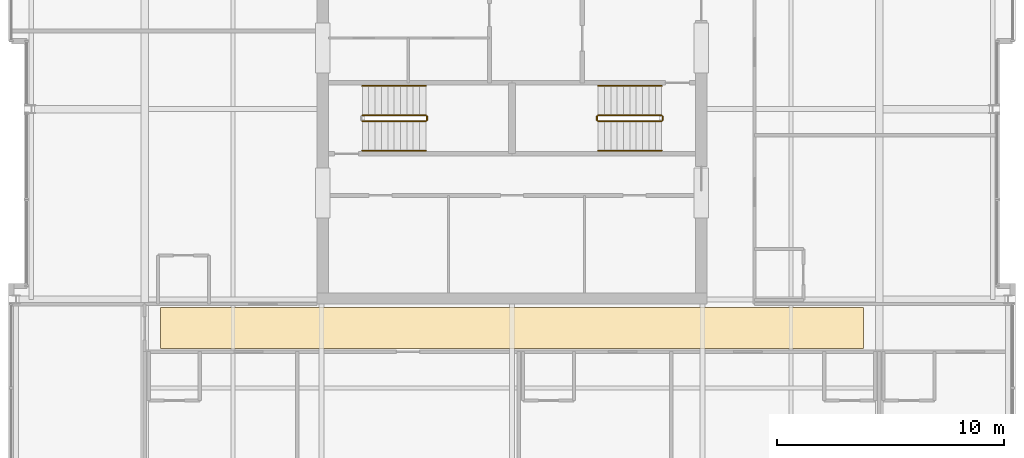
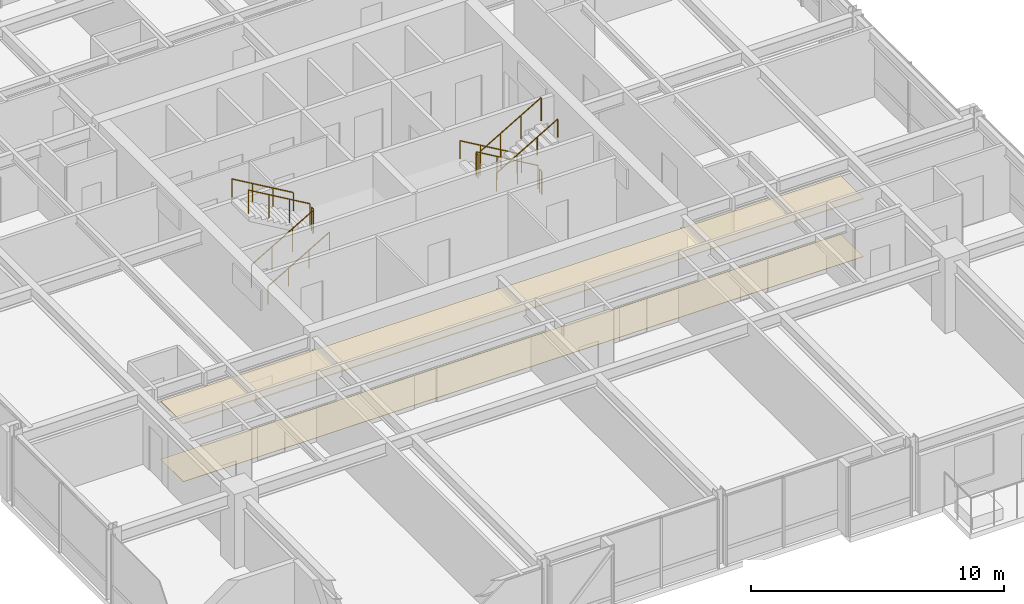
# One storey, part 31 of 32: 11 railings, 2 coverings.
"""IFC4 building model written with IfcOpenShell, lengths in metres."""

from ifc_helpers import new_model, si_unit, direction, frame, origin, origin_2d, place, context, subcontext, project, spatial, polyline, circle, outline, extrude, material, layer, layer_set, type_object, element, save


model = new_model("IFC4")

# Units and contexts
model_context = context("Model", 3, precision=1e-05, world=origin(), true_north=direction((0.0, 1.0)))
body_context = subcontext(model_context, "Body", "Model", "MODEL_VIEW")
ifc_project = project(units=[si_unit("LENGTHUNIT", "METRE"), si_unit("AREAUNIT", "SQUARE_METRE"), si_unit("VOLUMEUNIT", "CUBIC_METRE"), si_unit("PLANEANGLEUNIT", "RADIAN"), si_unit("MASSUNIT", "GRAM", prefix="KILO")], contexts=[model_context])

# Site, building, storey
site_placement = place(None, origin())
site = spatial("IfcSite", under=ifc_project, at=site_placement, CompositionType="ELEMENT")
building_placement = place(site_placement, origin())
building = spatial("IfcBuilding", under=site, at=building_placement, Name="Drelvath Grand Hotel", CompositionType="ELEMENT")
storey_placement = place(building_placement, frame((0.0, 0.0, 237.5)))
storey = spatial("IfcBuildingStorey", under=building, at=storey_placement, Name="L62", CompositionType="ELEMENT", Elevation=237.5)

# Railings
ifc_material_1 = material(Name="Painted Steel S275", Category="steel")
railing_type_1 = type_object("IfcRailingType", Name="Core Stair Wall Handrail 900", PredefinedType="HANDRAIL", material=ifc_material_1)
railing_1_placement = place(storey_placement, frame((-6.60009765625, 25.169921875, 0.16357421875)))
element("IfcRailing", 1, at=railing_1_placement, inside=storey, type_object=railing_type_1, Name="L62 ST-1 stair handrail 1", PredefinedType="HANDRAIL", context=body_context, shape_type="SweptSolid", body=[
    extrude(circle(Radius=0.02392578125, at=origin_2d()), frame((0.0, 0.0, 0.8759765625), z_axis=(0.863360870873, 0.0, 0.504586966384), x_axis=(0.0, 1.0, 0.0)), (0.0, 0.0, 1.0), 3.2431640625),
    extrude(circle(Radius=0.02099609375, at=origin_2d()), origin(), (0.0, 0.0, 1.0), 0.851806640625),
    extrude(circle(Radius=0.02099609375, at=origin_2d()), frame((0.933349609375, 0.0, 0.54541015625)), (0.0, 0.0, 1.0), 0.851806640625),
    extrude(circle(Radius=0.02099609375, at=origin_2d()), frame((1.86669921875, 0.0, 1.091064453125)), (0.0, 0.0, 1.0), 0.851806640625),
    extrude(circle(Radius=0.02099609375, at=origin_2d()), frame((2.800048828125, 0.0, 1.636474609375)), (0.0, 0.0, 1.0), 0.851806640625),
])
for number, where, name in (
    (2, (-3.800048828125, 28.030029296875, 1.963623046875), "L62 ST-1 stair handrail 2"),
    (3, (6.60009765625, 28.030029296875, 0.16357421875), "L62 ST-2 stair handrail 1"),
):
    element("IfcRailing", number, at=place(storey_placement, frame(where)), inside=storey, type_object=railing_type_1, Name=name, PredefinedType="HANDRAIL", context=body_context, shape_type="SweptSolid", body=[
        extrude(circle(Radius=0.02392578125, at=origin_2d()), frame((0.0, 0.0, 0.8759765625), z_axis=(-0.863360870873, 0.0, 0.504586966384), x_axis=(0.0, -1.0, 0.0)), (0.0, 0.0, 1.0), 3.2431640625),
        extrude(circle(Radius=0.02099609375, at=origin_2d()), origin(), (0.0, 0.0, 1.0), 0.851806640625),
        extrude(circle(Radius=0.02099609375, at=origin_2d()), frame((-0.933349609375, 0.0, 0.54541015625)), (0.0, 0.0, 1.0), 0.851806640625),
        extrude(circle(Radius=0.02099609375, at=origin_2d()), frame((-1.86669921875, 0.0, 1.091064453125)), (0.0, 0.0, 1.0), 0.851806640625),
        extrude(circle(Radius=0.02099609375, at=origin_2d()), frame((-2.800048828125, 0.0, 1.636474609375)), (0.0, 0.0, 1.0), 0.851806640625),
    ])
railing_2_placement = place(storey_placement, frame((3.800048828125, 25.169921875, 1.963623046875)))
element("IfcRailing", 4, at=railing_2_placement, inside=storey, type_object=railing_type_1, Name="L62 ST-2 stair handrail 2", PredefinedType="HANDRAIL", context=body_context, shape_type="SweptSolid", body=[
    extrude(circle(Radius=0.02392578125, at=origin_2d()), frame((0.0, 0.0, 0.8759765625), z_axis=(0.863360870873, 0.0, 0.504586966384), x_axis=(0.0, 1.0, 0.0)), (0.0, 0.0, 1.0), 3.2431640625),
    extrude(circle(Radius=0.02099609375, at=origin_2d()), origin(), (0.0, 0.0, 1.0), 0.851806640625),
    extrude(circle(Radius=0.02099609375, at=origin_2d()), frame((0.933349609375, 0.0, 0.54541015625)), (0.0, 0.0, 1.0), 0.851806640625),
    extrude(circle(Radius=0.02099609375, at=origin_2d()), frame((1.86669921875, 0.0, 1.091064453125)), (0.0, 0.0, 1.0), 0.851806640625),
    extrude(circle(Radius=0.02099609375, at=origin_2d()), frame((2.800048828125, 0.0, 1.636474609375)), (0.0, 0.0, 1.0), 0.851806640625),
])
railing_type_2 = type_object("IfcRailingType", Name="Core Stair Well Guardrail 1100", PredefinedType="GUARDRAIL", material=ifc_material_1)
railing_3_placement = place(storey_placement, frame((-6.60009765625, 26.469970703125, 0.16357421875)))
element("IfcRailing", 5, at=railing_3_placement, inside=storey, type_object=railing_type_2, Name="L62 ST-1 stair guard 1", PredefinedType="GUARDRAIL", context=body_context, shape_type="SweptSolid", body=[
    extrude(circle(Radius=0.02392578125, at=origin_2d()), frame((0.0, 0.0, 1.1259765625), z_axis=(0.863360870873, 0.0, 0.504586966384), x_axis=(0.0, 1.0, 0.0)), (0.0, 0.0, 1.0), 3.2431640625),
    extrude(circle(Radius=0.02099609375, at=origin_2d()), origin(), (0.0, 0.0, 1.0), 1.101806640625),
    extrude(circle(Radius=0.02099609375, at=origin_2d()), frame((0.933349609375, 0.0, 0.54541015625)), (0.0, 0.0, 1.0), 1.101806640625),
    extrude(circle(Radius=0.02099609375, at=origin_2d()), frame((1.86669921875, 0.0, 1.091064453125)), (0.0, 0.0, 1.0), 1.101806640625),
    extrude(circle(Radius=0.02099609375, at=origin_2d()), frame((2.800048828125, 0.0, 1.636474609375)), (0.0, 0.0, 1.0), 1.101806640625),
])
railing_4_placement = place(storey_placement, frame((-3.75, 26.52001953125, 1.800048828125)))
element("IfcRailing", 6, at=railing_4_placement, inside=storey, type_object=railing_type_2, Name="L62 ST-1 stair guard 2", PredefinedType="GUARDRAIL", context=body_context, shape_type="SweptSolid", body=[
    extrude(circle(Radius=0.02392578125, at=origin_2d()), frame((0.0, 0.0, 1.1259765625), z_axis=(0.0, 1.0, 0.0), x_axis=(-1.0, 0.0, 0.0)), (0.0, 0.0, 1.0), 0.159912109375),
    extrude(circle(Radius=0.02099609375, at=origin_2d()), origin(), (0.0, 0.0, 1.0), 1.101806640625),
    extrude(circle(Radius=0.02099609375, at=origin_2d()), frame((0.0, 0.159912109375, 0.0)), (0.0, 0.0, 1.0), 1.101806640625),
])
for number, where, name in (
    (7, (-3.800048828125, 26.72998046875, 1.963623046875), "L62 ST-1 stair guard 3"),
    (8, (6.60009765625, 26.72998046875, 0.16357421875), "L62 ST-2 stair guard 1"),
):
    element("IfcRailing", number, at=place(storey_placement, frame(where)), inside=storey, type_object=railing_type_2, Name=name, PredefinedType="GUARDRAIL", context=body_context, shape_type="SweptSolid", body=[
        extrude(circle(Radius=0.02392578125, at=origin_2d()), frame((0.0, 0.0, 1.1259765625), z_axis=(-0.863360870873, 0.0, 0.504586966384), x_axis=(0.0, -1.0, 0.0)), (0.0, 0.0, 1.0), 3.2431640625),
        extrude(circle(Radius=0.02099609375, at=origin_2d()), origin(), (0.0, 0.0, 1.0), 1.101806640625),
        extrude(circle(Radius=0.02099609375, at=origin_2d()), frame((-0.933349609375, 0.0, 0.54541015625)), (0.0, 0.0, 1.0), 1.101806640625),
        extrude(circle(Radius=0.02099609375, at=origin_2d()), frame((-1.86669921875, 0.0, 1.091064453125)), (0.0, 0.0, 1.0), 1.101806640625),
        extrude(circle(Radius=0.02099609375, at=origin_2d()), frame((-2.800048828125, 0.0, 1.636474609375)), (0.0, 0.0, 1.0), 1.101806640625),
    ])
railing_5_placement = place(storey_placement, frame((3.75, 26.679931640625, 1.800048828125)))
element("IfcRailing", 9, at=railing_5_placement, inside=storey, type_object=railing_type_2, Name="L62 ST-2 stair guard 2", PredefinedType="GUARDRAIL", context=body_context, shape_type="SweptSolid", body=[
    extrude(circle(Radius=0.02392578125, at=origin_2d()), frame((0.0, 0.0, 1.1259765625), z_axis=(0.0, -1.0, 0.0), x_axis=(1.0, 0.0, 0.0)), (0.0, 0.0, 1.0), 0.159912109375),
    extrude(circle(Radius=0.02099609375, at=origin_2d()), origin(), (0.0, 0.0, 1.0), 1.101806640625),
    extrude(circle(Radius=0.02099609375, at=origin_2d()), frame((0.0, -0.159912109375, 0.0)), (0.0, 0.0, 1.0), 1.101806640625),
])
railing_6_placement = place(storey_placement, frame((3.800048828125, 26.469970703125, 1.963623046875)))
element("IfcRailing", 10, at=railing_6_placement, inside=storey, type_object=railing_type_2, Name="L62 ST-2 stair guard 3", PredefinedType="GUARDRAIL", context=body_context, shape_type="SweptSolid", body=[
    extrude(circle(Radius=0.02392578125, at=origin_2d()), frame((0.0, 0.0, 1.1259765625), z_axis=(0.863360870873, 0.0, 0.504586966384), x_axis=(0.0, 1.0, 0.0)), (0.0, 0.0, 1.0), 3.2431640625),
    extrude(circle(Radius=0.02099609375, at=origin_2d()), origin(), (0.0, 0.0, 1.0), 1.101806640625),
    extrude(circle(Radius=0.02099609375, at=origin_2d()), frame((0.933349609375, 0.0, 0.54541015625)), (0.0, 0.0, 1.0), 1.101806640625),
    extrude(circle(Radius=0.02099609375, at=origin_2d()), frame((1.86669921875, 0.0, 1.091064453125)), (0.0, 0.0, 1.0), 1.101806640625),
    extrude(circle(Radius=0.02099609375, at=origin_2d()), frame((2.800048828125, 0.0, 1.636474609375)), (0.0, 0.0, 1.0), 1.101806640625),
])
railing_7_placement = place(storey_placement, frame((6.64990234375, 26.679931640625, 0.0)))
element("IfcRailing", 11, at=railing_7_placement, inside=storey, type_object=railing_type_2, Name="L62 ST-2 stair guard 4", PredefinedType="GUARDRAIL", context=body_context, shape_type="SweptSolid", body=[
    extrude(circle(Radius=0.02392578125, at=origin_2d()), frame((0.0, 0.0, 1.1259765625), z_axis=(0.0, -1.0, 0.0), x_axis=(1.0, 0.0, 0.0)), (0.0, 0.0, 1.0), 0.159912109375),
    extrude(circle(Radius=0.02099609375, at=origin_2d()), origin(), (0.0, 0.0, 1.0), 1.101806640625),
    extrude(circle(Radius=0.02099609375, at=origin_2d()), frame((0.0, -0.159912109375, 0.0)), (0.0, 0.0, 1.0), 1.101806640625),
])

# Coverings
ifc_material_2 = material(Name="Woven Wool Broadloom Carpet")
ifc_layer_1 = layer(ifc_material_2, 0.01806640625)
ifc_layer_set_1 = layer_set([ifc_layer_1], Name="Woven Wool Broadloom Carpet")
covering_type_1 = type_object("IfcCoveringType", Name="Hospitality Broadloom Carpet 18", PredefinedType="FLOORING", material=ifc_layer_set_1)
covering_1_placement = place(storey_placement, origin())
element("IfcCovering", 12, at=covering_1_placement, inside=storey, type_object=covering_type_1, Name="L62 Upper Gallery Carpet", PredefinedType="FLOORING", context=body_context, shape_type="SweptSolid", body=[
    extrude(outline(polyline([(15.5, 16.449951171875), (15.5, 18.25), (-15.5, 18.25), (-15.5, 16.449951171875), (15.5, 16.449951171875)])), origin(), (0.0, 0.0, 1.0), 0.01806640625),
])
ifc_material_3 = material(Name="Anodised Aluminium Alloy", Category="aluminium")
ifc_layer_2 = layer(ifc_material_3, 0.0400390625)
ifc_layer_set_2 = layer_set([ifc_layer_2], Name="Anodised Aluminium Alloy")
covering_type_2 = type_object("IfcCoveringType", Name="Perforated Metal Corridor Ceiling 40", PredefinedType="CEILING", material=ifc_layer_set_2)
covering_2_placement = place(storey_placement, frame((0.0, 0.0, 2.7900390625)))
element("IfcCovering", 13, at=covering_2_placement, inside=storey, type_object=covering_type_2, Name="L62 Upper Gallery Ceiling", PredefinedType="CEILING", context=body_context, shape_type="SweptSolid", body=[
    extrude(outline(polyline([(15.5, 16.449951171875), (15.5, 18.25), (-15.5, 18.25), (-15.5, 16.449951171875), (15.5, 16.449951171875)])), origin(), (0.0, 0.0, 1.0), 0.0400390625),
])

save(model, "model.ifc")
